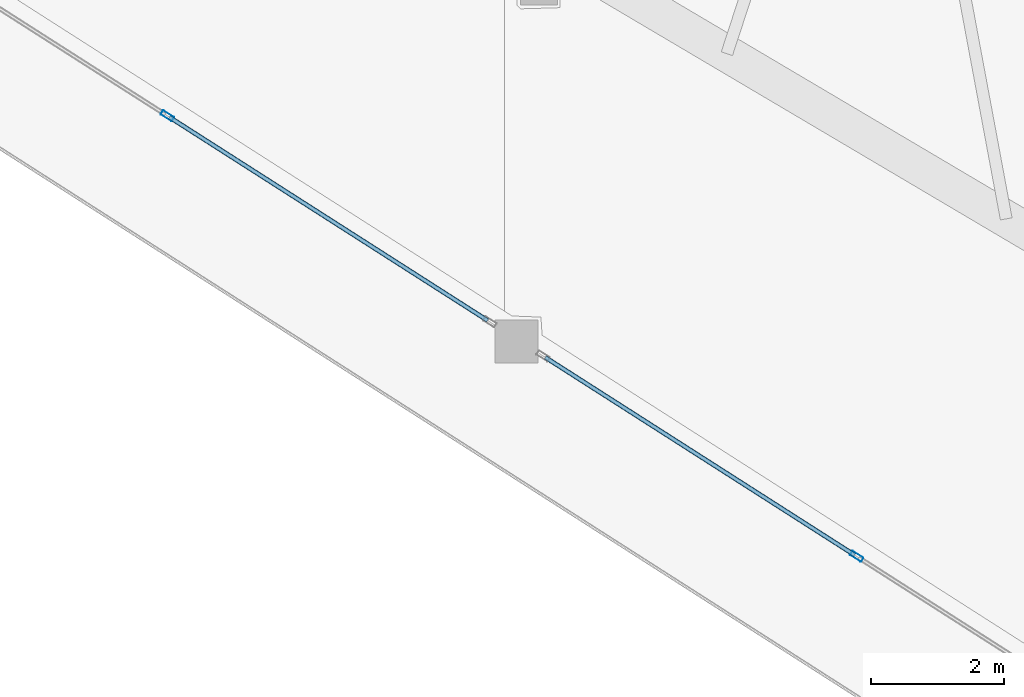
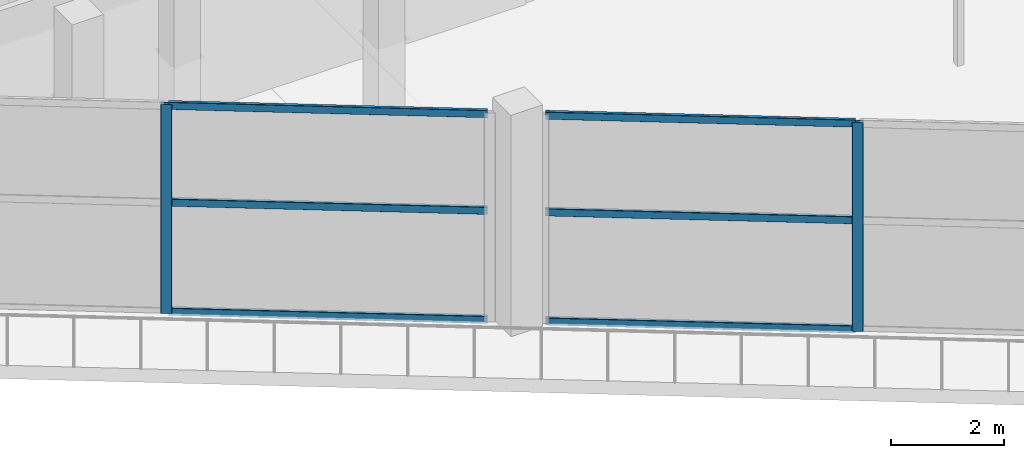
# One storey, part 3 of 36: 8 members, 2 elements without a shape of their own.
"""IFC4 building model written with IfcOpenShell, lengths in metres."""

from ifc_helpers import new_model, si_unit, direction, frame, origin, origin_2d, place, context, subcontext, project, spatial, hollow_rectangle, extrude, material, layer, layer_set, material_profile, profile_set, type_object, element, aggregate, save


model = new_model("IFC4")

# Units and contexts
model_context = context("Model", 3, precision=1e-05, world=origin(), true_north=direction((0.0, 1.0)))
body_context = subcontext(model_context, "Body", "Model", "MODEL_VIEW")
ifc_project = project(units=[si_unit("LENGTHUNIT", "METRE"), si_unit("AREAUNIT", "SQUARE_METRE"), si_unit("VOLUMEUNIT", "CUBIC_METRE"), si_unit("PLANEANGLEUNIT", "RADIAN"), si_unit("MASSUNIT", "GRAM", prefix="KILO")], contexts=[model_context])

# Site, building, storey
site_placement = place(None, origin())
site = spatial("IfcSite", under=ifc_project, at=site_placement, CompositionType="ELEMENT")
building_placement = place(site_placement, origin())
building = spatial("IfcBuilding", under=site, at=building_placement, Name="Qorvath Tower", CompositionType="ELEMENT")
storey_placement = place(building_placement, frame((0.0, 0.0, 180.0)))
storey = spatial("IfcBuildingStorey", under=building, at=storey_placement, Name="L41", CompositionType="ELEMENT", Elevation=180.0)

# Curtain wall, member
ifc_material_1 = material(Name="Anodised aluminium and triple low-E glass", Category="aluminium")
ifc_layer = layer(ifc_material_1, 0.179931640625)
ifc_layer_set = layer_set([ifc_layer], Name="CW-SYS-5")
curtain_wall_type = type_object("IfcCurtainWallType", Name="CW-SYS-5", PredefinedType="NOTDEFINED", material=ifc_layer_set)
curtain_wall_1_placement = place(storey_placement, origin())
curtain_wall_1 = element("IfcCurtainWall", 1, at=curtain_wall_1_placement, inside=storey, type_object=curtain_wall_type, Name="Curtain Wall CW-5 CW-T-L41-2.1", PredefinedType="NOTDEFINED")
ifc_material_2 = material(Name="Anodised aluminium 6063-T6", Category="aluminium")
ifc_material_profile_1 = material_profile(ifc_material_2, hollow_rectangle(XDim=0.074951171875, YDim=0.199951171875, WallThickness=0.00390625, InnerFilletRadius=0.00390625, OuterFilletRadius=0.008056640625, at=origin_2d()), Name="CWM 200x75")
ifc_profile_set_1 = profile_set([ifc_material_profile_1], Name="Anodised aluminium 6063-T6")
member_type_1 = type_object("IfcMemberType", Name="CWM-200", PredefinedType="MULLION", material=ifc_profile_set_1)
member_1_placement = place(storey_placement, frame((-36.2646484375, -16.066650390625, 0.0), z_axis=(0.0, 0.0, 1.0), x_axis=(0.538533311115, 0.842604220747, 0.0)))
member_1 = element("IfcMember", 2, at=member_1_placement, type_object=member_type_1, Name="CW-5 mullion 5", PredefinedType="MULLION", context=body_context, shape_type="SweptSolid", body=[
    extrude(hollow_rectangle(XDim=0.074951171875, YDim=0.199951171875, WallThickness=0.00390625, InnerFilletRadius=0.00390625, OuterFilletRadius=0.008056640625, at=origin_2d()), origin(), (0.0, 0.0, 1.0), 4.530029296875),
])

curtain_wall_2_placement = place(storey_placement, origin())
curtain_wall_2 = element("IfcCurtainWall", 3, at=curtain_wall_2_placement, inside=storey, type_object=curtain_wall_type, Name="Curtain Wall CW-5 CW-T-L41-2.2", PredefinedType="NOTDEFINED")
member_2_placement = place(storey_placement, frame((-25.902587890625, -22.689453125, 0.0), z_axis=(0.0, 0.0, 1.0), x_axis=(0.538544146891, 0.842597295183, 0.0)))
member_2 = element("IfcMember", 4, at=member_2_placement, type_object=member_type_1, Name="CW-5 mullion 2", PredefinedType="MULLION", context=body_context, shape_type="SweptSolid", body=[
    extrude(hollow_rectangle(XDim=0.074951171875, YDim=0.199951171875, WallThickness=0.00390625, InnerFilletRadius=0.00390625, OuterFilletRadius=0.008056640625, at=origin_2d()), origin(), (0.0, 0.0, 1.0), 4.530029296875),
])

# Member
ifc_material_3 = material(Name="Anodised aluminium 6063-T6", Category="aluminium")
ifc_material_profile_2 = material_profile(ifc_material_3, hollow_rectangle(XDim=0.06494140625, YDim=0.159912109375, WallThickness=0.00341796875, InnerFilletRadius=0.00341796875, OuterFilletRadius=0.007080078125, at=origin_2d()), Name="CWT 160x65")
ifc_profile_set_2 = profile_set([ifc_material_profile_2], Name="Anodised aluminium 6063-T6")
member_type_2 = type_object("IfcMemberType", Name="CWT-160", PredefinedType="USERDEFINED", material=ifc_profile_set_2)
member_3_placement = place(storey_placement, frame((-36.233154296875, -16.0869140625, 0.032470703125), z_axis=(0.842599241207, -0.538541102162, 0.0), x_axis=(0.538541102162, 0.842599241207, 0.0)))
member_3 = element("IfcMember", 5, at=member_3_placement, type_object=member_type_2, Name="CW-5 transom 5.1", ObjectType="TRANSOM", PredefinedType="USERDEFINED", context=body_context, shape_type="SweptSolid", body=[
    extrude(hollow_rectangle(XDim=0.06494140625, YDim=0.159912109375, WallThickness=0.00341796875, InnerFilletRadius=0.00341796875, OuterFilletRadius=0.007080078125, at=origin_2d()), origin(), (0.0, 0.0, 1.0), 5.677490234375),
])

member_4_placement = place(storey_placement, frame((-36.233154296875, -16.0869140625, 2.39990234375), z_axis=(0.842599241207, -0.538541102162, 0.0), x_axis=(0.538541102162, 0.842599241207, 0.0)))
member_4 = element("IfcMember", 6, at=member_4_placement, type_object=member_type_2, Name="CW-5 transom 5.2", ObjectType="TRANSOM", PredefinedType="USERDEFINED", context=body_context, shape_type="SweptSolid", body=[
    extrude(hollow_rectangle(XDim=0.06494140625, YDim=0.159912109375, WallThickness=0.00341796875, InnerFilletRadius=0.00341796875, OuterFilletRadius=0.007080078125, at=origin_2d()), origin(), (0.0, 0.0, 1.0), 5.677490234375),
])

member_5_placement = place(storey_placement, frame((-36.233154296875, -16.0869140625, 4.49755859375), z_axis=(0.842599241207, -0.538541102162, 0.0), x_axis=(0.538541102162, 0.842599241207, 0.0)))
member_5 = element("IfcMember", 7, at=member_5_placement, type_object=member_type_2, Name="CW-5 transom 5.3", ObjectType="TRANSOM", PredefinedType="USERDEFINED", context=body_context, shape_type="SweptSolid", body=[
    extrude(hollow_rectangle(XDim=0.06494140625, YDim=0.159912109375, WallThickness=0.00341796875, InnerFilletRadius=0.00341796875, OuterFilletRadius=0.007080078125, at=origin_2d()), origin(), (0.0, 0.0, 1.0), 5.677490234375),
])

aggregate(curtain_wall_1, [member_1, member_3, member_4, member_5])

member_6_placement = place(storey_placement, frame((-30.582763671875, -19.697998046875, 0.032470703125), z_axis=(0.842597533941, -0.538543773334, 0.0), x_axis=(0.538543773334, 0.842597533941, 0.0)))
member_6 = element("IfcMember", 8, at=member_6_placement, type_object=member_type_2, Name="CW-5 transom 1.1", ObjectType="TRANSOM", PredefinedType="USERDEFINED", context=body_context, shape_type="SweptSolid", body=[
    extrude(hollow_rectangle(XDim=0.06494140625, YDim=0.159912109375, WallThickness=0.00341796875, InnerFilletRadius=0.00341796875, OuterFilletRadius=0.007080078125, at=origin_2d()), origin(), (0.0, 0.0, 1.0), 5.51708984375),
])

member_7_placement = place(storey_placement, frame((-30.582763671875, -19.697998046875, 2.39990234375), z_axis=(0.842597533941, -0.538543773334, 0.0), x_axis=(0.538543773334, 0.842597533941, 0.0)))
member_7 = element("IfcMember", 9, at=member_7_placement, type_object=member_type_2, Name="CW-5 transom 1.2", ObjectType="TRANSOM", PredefinedType="USERDEFINED", context=body_context, shape_type="SweptSolid", body=[
    extrude(hollow_rectangle(XDim=0.06494140625, YDim=0.159912109375, WallThickness=0.00341796875, InnerFilletRadius=0.00341796875, OuterFilletRadius=0.007080078125, at=origin_2d()), origin(), (0.0, 0.0, 1.0), 5.51708984375),
])

member_8_placement = place(storey_placement, frame((-30.582763671875, -19.697998046875, 4.49755859375), z_axis=(0.842597533941, -0.538543773334, 0.0), x_axis=(0.538543773334, 0.842597533941, 0.0)))
member_8 = element("IfcMember", 10, at=member_8_placement, type_object=member_type_2, Name="CW-5 transom 1.3", ObjectType="TRANSOM", PredefinedType="USERDEFINED", context=body_context, shape_type="SweptSolid", body=[
    extrude(hollow_rectangle(XDim=0.06494140625, YDim=0.159912109375, WallThickness=0.00341796875, InnerFilletRadius=0.00341796875, OuterFilletRadius=0.007080078125, at=origin_2d()), origin(), (0.0, 0.0, 1.0), 5.51708984375),
])

aggregate(curtain_wall_2, [member_2, member_6, member_7, member_8])

save(model, "model.ifc")
